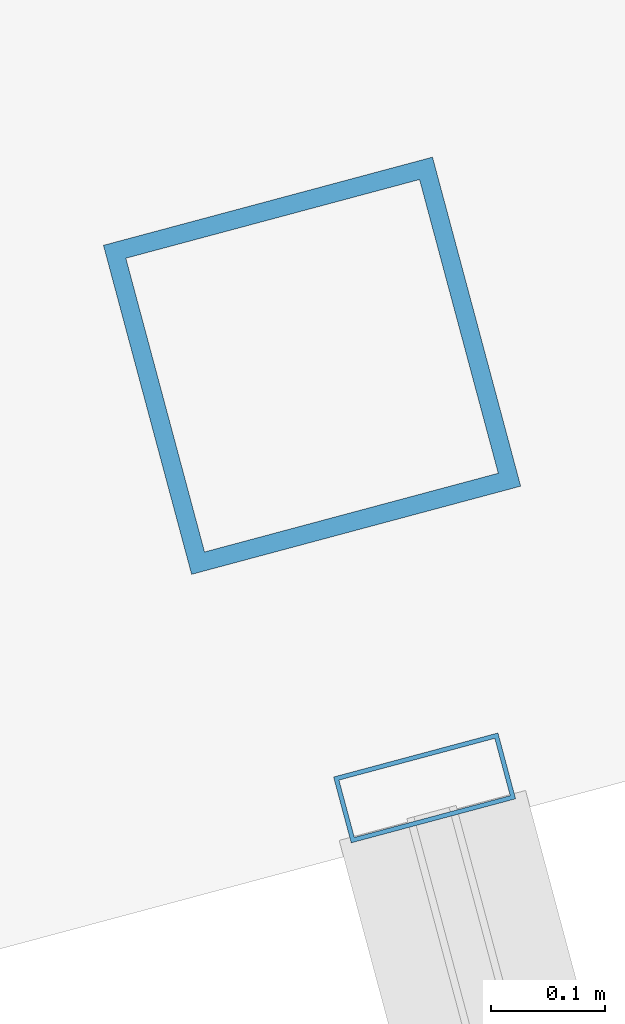
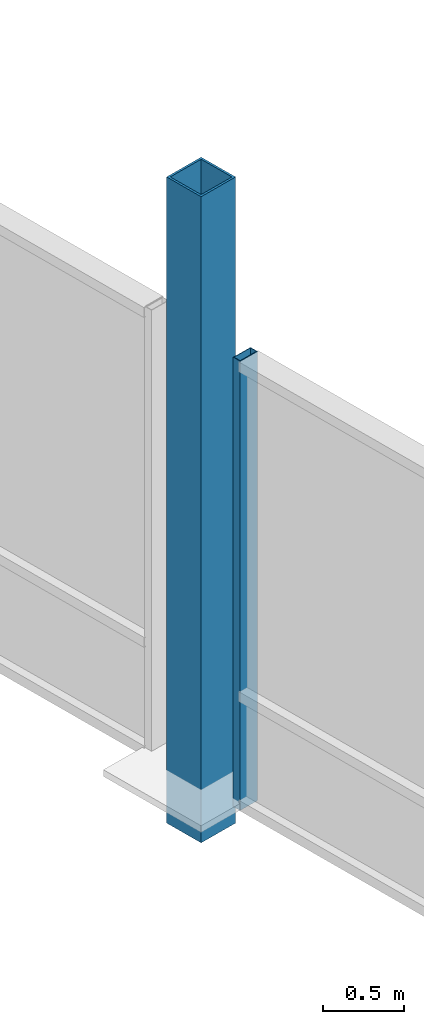
# One storey, part 17 of 29: 2 members, 1 element without a shape of its own.
"""IFC4 building model written with IfcOpenShell, lengths in metres."""

from ifc_helpers import new_model, si_unit, direction, frame, origin, origin_2d, place, context, subcontext, project, spatial, hollow_rectangle, extrude, material, layer, layer_set, material_profile, profile_set, type_object, element, aggregate, save


model = new_model("IFC4")

# Units and contexts
model_context = context("Model", 3, precision=1e-05, world=origin(), true_north=direction((0.0, 1.0)))
body_context = subcontext(model_context, "Body", "Model", "MODEL_VIEW")
ifc_project = project(units=[si_unit("LENGTHUNIT", "METRE"), si_unit("AREAUNIT", "SQUARE_METRE"), si_unit("VOLUMEUNIT", "CUBIC_METRE"), si_unit("PLANEANGLEUNIT", "RADIAN"), si_unit("MASSUNIT", "GRAM", prefix="KILO")], contexts=[model_context])

# Site, building, storey
site_placement = place(None, origin())
site = spatial("IfcSite", under=ifc_project, at=site_placement, CompositionType="ELEMENT")
building_placement = place(site_placement, origin())
building = spatial("IfcBuilding", under=site, at=building_placement, Name="Ventoquebrada Cableway Terminal", CompositionType="ELEMENT")
storey_placement = place(building_placement, frame((0.0, 0.0, 18.89990234375)))
storey = spatial("IfcBuildingStorey", under=building, at=storey_placement, Name="L04", CompositionType="ELEMENT", Elevation=18.89990234375)

# Curtain wall, member
ifc_material_1 = material(Name="Anodized thermally-broken aluminium", Category="aluminium")
ifc_layer = layer(ifc_material_1, 0.159912109375)
ifc_layer_set = layer_set([ifc_layer], Name="Anodized thermally-broken aluminium")
curtain_wall_type = type_object("IfcCurtainWallType", Name="CW-T47", PredefinedType="USERDEFINED", material=ifc_layer_set)
curtain_wall_placement = place(storey_placement, origin())
curtain_wall = element("IfcCurtainWall", 1, at=curtain_wall_placement, inside=storey, type_object=curtain_wall_type, Name="Unitised glazed curtain wall CW-148", ObjectType="UNITISED CURTAIN WALL", PredefinedType="USERDEFINED")
ifc_material_profile_1 = material_profile(ifc_material_1, hollow_rectangle(XDim=0.06005859375, YDim=0.14990234375, WallThickness=0.00390625, at=origin_2d()), Name="CW-MUL-60X150")
ifc_profile_set_1 = profile_set([ifc_material_profile_1], Name="Anodized thermally-broken aluminium")
member_type_1 = type_object("IfcMemberType", Name="CWM-03", PredefinedType="MULLION", material=ifc_profile_set_1)
member_1_placement = place(storey_placement, frame((83.486083984375, 91.287109375, 1.087158203125), z_axis=(0.0, 0.0, 1.0), x_axis=(-0.258802186477, 0.965930343386, 0.0)))
member_1 = element("IfcMember", 2, at=member_1_placement, type_object=member_type_1, Name="Curtain wall mullion FML-0722", PredefinedType="MULLION", context=body_context, shape_type="SweptSolid", body=[
    extrude(hollow_rectangle(XDim=0.06005859375, YDim=0.14990234375, WallThickness=0.00390625, at=origin_2d()), origin(), (0.0, 0.0, 1.0), 3.373046875),
])
aggregate(curtain_wall, [member_1])

# Member
ifc_material_2 = material(Name="Steel ASTM A500 Grade C", Category="steel")
ifc_material_profile_2 = material_profile(ifc_material_2, hollow_rectangle(XDim=0.300048828125, YDim=0.300048828125, WallThickness=0.01611328125, at=origin_2d()), Name="HSS300X300X16")
ifc_profile_set_2 = profile_set([ifc_material_profile_2], Name="Steel ASTM A500 Grade C")
member_type_2 = type_object("IfcMemberType", Name="STR-VS01", PredefinedType="STRUT", material=ifc_profile_set_2)
member_2_placement = place(storey_placement, frame((83.386962890625, 91.658935546875, 0.75), z_axis=(0.0, 0.0, 1.0), x_axis=(0.965925826289, 0.258819045103, 0.0)))
element("IfcMember", 3, at=member_2_placement, inside=storey, type_object=member_type_2, Name="Saddle gridshell portal strut GS-ST-0011", PredefinedType="STRUT", context=body_context, shape_type="SweptSolid", body=[
    extrude(hollow_rectangle(XDim=0.300048828125, YDim=0.300048828125, WallThickness=0.01611328125, at=origin_2d()), origin(), (0.0, 0.0, 1.0), 4.85009765625),
])

save(model, "model.ifc")
